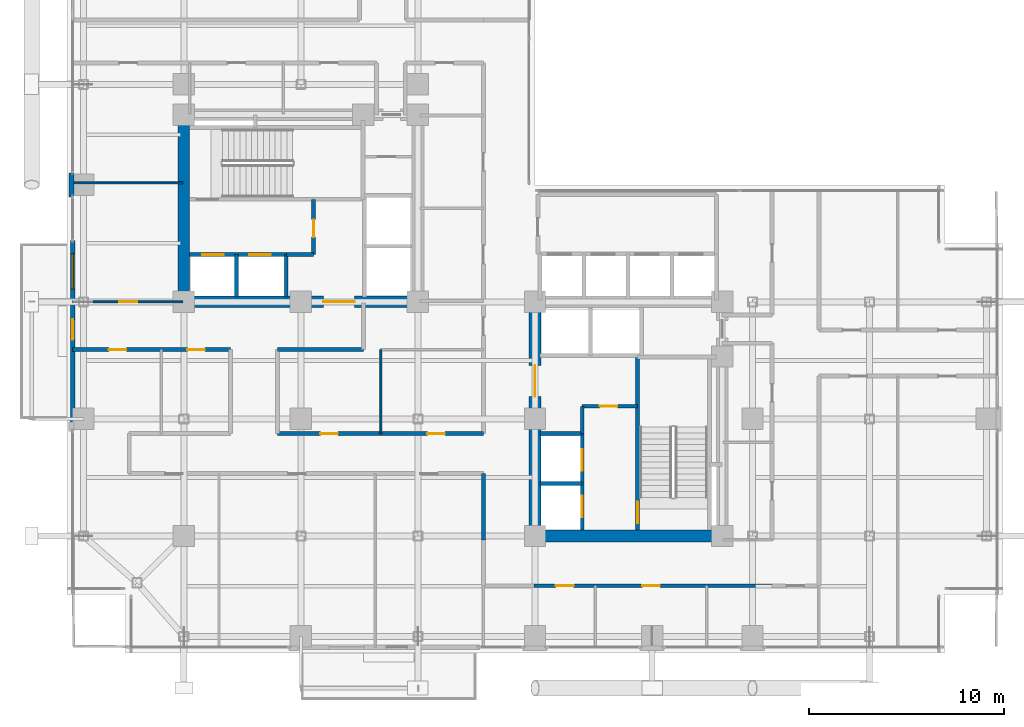
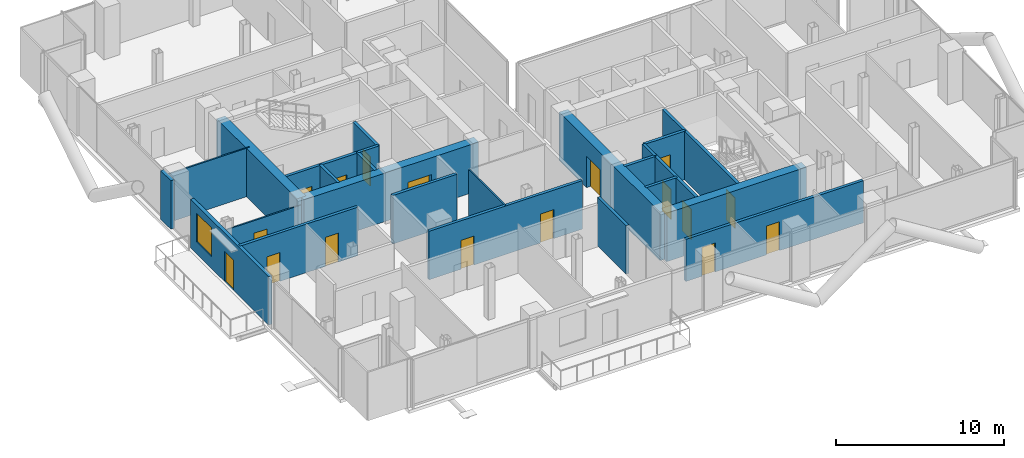
# One storey, part 19 of 24: 25 walls, 17 doors, 1 window, 18 openings.
"""IFC4 building model written with IfcOpenShell, lengths in metres."""

import ifcopenshell
import ifcopenshell.guid

model = None  # the IFC model being written
_history = None  # IfcOwnerHistory: only IFC2X3 demands one
_inside = {}  # id of a spatial element -> (the spatial element, [elements in it])
_under = {}  # id of a project, library or spatial element -> (it, [spatial elements below it])
_declared = {}  # id of a project -> (the project, [libraries it declares])
_typed = {}  # id of a type object -> (the type object, [elements of that type])
_made_of = {}  # id of a material, layer set ... -> (it, [elements and type objects made of it])


def new_model(schema):
    """Start an empty IFC model of exactly this schema.

    Asked for "IFC4X3", IfcOpenShell would pick the latest addendum, in which some entities
    have other attributes; the version numbers below select the first issue.
    IFC2X3 requires an IfcOwnerHistory on every rooted entity: one is made here for all.
    """
    global model, _history
    if schema == "IFC4X3":
        model = ifcopenshell.file(schema_version=(4, 3, 0, 0))
    else:
        model = ifcopenshell.file(schema=schema)
    _inside.clear()
    _under.clear()
    _declared.clear()
    _typed.clear()
    _made_of.clear()
    _history = None
    if model.schema == "IFC2X3":
        org = make("IfcOrganization", Name="unknown")
        user = make(
            "IfcPersonAndOrganization",
            ThePerson=make("IfcPerson", FamilyName="unknown"),
            TheOrganization=org,
        )
        app = make(
            "IfcApplication",
            ApplicationDeveloper=org,
            Version="unknown",
            ApplicationFullName="unknown",
            ApplicationIdentifier="unknown",
        )
        _history = make(
            "IfcOwnerHistory",
            OwningUser=user,
            OwningApplication=app,
            ChangeAction="ADDED",
            CreationDate=0,
        )
    return model


def make(cls, **values):
    """One entity of the class cls with the attributes given. An attribute that is None is left unset."""
    return model.create_entity(
        cls, **{name: value for name, value in values.items() if value is not None}
    )


def rooted(cls, **values):
    """An entity with a GlobalId (a new one), such as an element, a storey or a relation."""
    return make(cls, GlobalId=ifcopenshell.guid.new(), OwnerHistory=_history, **values)


def si_unit(unit_type, name, prefix=None):
    """IfcSIUnit, for example si_unit("LENGTHUNIT", "METRE", prefix="MILLI")."""
    return make("IfcSIUnit", UnitType=unit_type, Prefix=prefix, Name=name)


def assignment(units):
    """IfcUnitAssignment: the units of a project."""
    return None if units is None else make("IfcUnitAssignment", Units=units)


def point(xyz):
    """IfcCartesianPoint."""
    return None if xyz is None else make("IfcCartesianPoint", Coordinates=xyz)


def direction(xyz):
    """IfcDirection."""
    return None if xyz is None else make("IfcDirection", DirectionRatios=xyz)


def frame(location, z_axis=None, x_axis=None):
    """IfcAxis2Placement3D, a coordinate frame: its origin and axes. An axis left out is left unset."""
    return make(
        "IfcAxis2Placement3D",
        Location=point(location),
        Axis=direction(z_axis),
        RefDirection=direction(x_axis),
    )


def frame_2d(location, x_axis=None):
    """IfcAxis2Placement2D, a coordinate frame in the plane: its origin and x axis."""
    return make(
        "IfcAxis2Placement2D", Location=point(location), RefDirection=direction(x_axis)
    )


def origin():
    """The frame at (0, 0, 0) with its axes left unset."""
    return frame((0.0, 0.0, 0.0))


def place(relative_to, where):
    """IfcLocalPlacement: puts the frame where relative to a parent placement (None: the world)."""
    return make(
        "IfcLocalPlacement", PlacementRelTo=relative_to, RelativePlacement=where
    )


def context(
    kind, dimensions, precision=None, world=None, true_north=None, identifier=None
):
    """IfcGeometricRepresentationContext, for example the 3D "Model" context."""
    return make(
        "IfcGeometricRepresentationContext",
        ContextIdentifier=identifier,
        ContextType=kind,
        CoordinateSpaceDimension=dimensions,
        Precision=precision,
        WorldCoordinateSystem=world,
        TrueNorth=true_north,
    )


def subcontext(parent, identifier, kind, view, scale=None):
    """IfcGeometricRepresentationSubContext, for example "Body" below "Model"."""
    return make(
        "IfcGeometricRepresentationSubContext",
        ContextIdentifier=identifier,
        ContextType=kind,
        ParentContext=parent,
        TargetScale=scale,
        TargetView=view,
    )


def project(units=None, contexts=None):
    """IfcProject with its units and contexts."""
    return rooted(
        "IfcProject",
        Name="project",
        RepresentationContexts=contexts,
        UnitsInContext=assignment(units),
    )


def spatial(cls, under=None, at=None, **own):
    """A site, building, storey or space (cls), placed at a placement, below another one or the project."""
    s = rooted(cls, ObjectPlacement=at, **own)
    if under is not None:
        _under.setdefault(under.id(), (under, []))[1].append(s)
    return s


def profile(cls, at=None, kind="AREA", **sizes):
    """A parametric profile (cls). Its sizes go by their IFC names, for example OverallWidth=200.0."""
    return make(cls, ProfileType=kind, Position=at, **sizes)


def rectangle(**sizes):
    """IfcRectangleProfileDef."""
    return profile("IfcRectangleProfileDef", **sizes)


def extrude(swept, where, along, depth):
    """IfcExtrudedAreaSolid: the profile swept, set in the frame where, extruded along a direction by depth."""
    return make(
        "IfcExtrudedAreaSolid",
        SweptArea=swept,
        Position=where,
        ExtrudedDirection=direction(along),
        Depth=depth,
    )


def shape(context_of_items, identifier, shape_type, items):
    """IfcShapeRepresentation: the items that make up one representation, for example the "Body"."""
    return make(
        "IfcShapeRepresentation",
        ContextOfItems=context_of_items,
        RepresentationIdentifier=identifier,
        RepresentationType=shape_type,
        Items=items,
    )


def material(Name=None, Category=None):
    """IfcMaterial."""
    return make("IfcMaterial", Name=Name, Category=Category)


def layer(
    of_material, thickness, ventilated=None, Name=None, Category=None, Priority=None
):
    """IfcMaterialLayer: one layer of a wall or slab, of a material (None: an air gap)."""
    return make(
        "IfcMaterialLayer",
        Material=of_material,
        LayerThickness=thickness,
        IsVentilated=ventilated,
        Name=Name,
        Category=Category,
        Priority=Priority,
    )


def layer_set(layers, Name=None):
    """IfcMaterialLayerSet."""
    return make("IfcMaterialLayerSet", MaterialLayers=layers, LayerSetName=Name)


def made_of(thing, what):
    """Note that an element or type object is made of a material, layer set ...; save() writes the relation."""
    if what is not None:
        _made_of.setdefault(what.id(), (what, []))[1].append(thing)
    return thing


def type_object(cls, material=None, **own):
    """A type object (cls), such as IfcWallType, which elements share."""
    return made_of(rooted(cls, **own), material)


def element(
    cls,
    number,
    at=None,
    inside=None,
    cuts=None,
    type_object=None,
    material=None,
    context=None,
    identifier="Body",
    shape_type=None,
    held_by="IfcProductDefinitionShape",
    body=None,
    shapes=None,
    **own,
):
    """One element of the class cls, such as IfcWall. Its Tag is "e" and its number.

    at: its placement. inside: the storey or other place that contains it. cuts: it is an
    opening in that element (IfcRelVoidsElement). A single representation is given by context,
    identifier, shape_type and body (its items); several are given by shapes. held_by: the class
    of the entity that holds the representations. save() writes the other relations.
    """
    e = rooted(cls, Tag="e%d" % number, ObjectPlacement=at, **own)
    if body is not None:
        shapes = [shape(context, identifier, shape_type, body)]
    if shapes is not None:
        e.Representation = make(held_by, Representations=shapes)
    if inside is not None:
        _inside.setdefault(inside.id(), (inside, []))[1].append(e)
    if cuts is not None:
        rooted(
            "IfcRelVoidsElement", RelatingBuildingElement=cuts, RelatedOpeningElement=e
        )
    if type_object is not None:
        _typed.setdefault(type_object.id(), (type_object, []))[1].append(e)
    return made_of(e, material)


def fill(opening, filler):
    """IfcRelFillsElement: the door or window that sits in an opening."""
    return rooted(
        "IfcRelFillsElement",
        RelatingOpeningElement=opening,
        RelatedBuildingElement=filler,
    )


def aggregate(whole, parts):
    """IfcRelAggregates: a whole, such as a stair, and the parts it consists of."""
    return rooted("IfcRelAggregates", RelatingObject=whole, RelatedObjects=parts)


def save(model, path):
    """Write the relations noted so far, then the file.

    IfcRelAggregates (storeys below a building ...), IfcRelContainedInSpatialStructure (elements
    in a storey), IfcRelDefinesByType, IfcRelAssociatesMaterial and IfcRelDeclares: one each for
    every whole, place, type object, material and project.
    """
    for whole, parts in _under.values():
        aggregate(whole, parts)
    for where, things in _inside.values():
        rooted(
            "IfcRelContainedInSpatialStructure",
            RelatedElements=things,
            RelatingStructure=where,
        )
    for kind, things in _typed.values():
        rooted("IfcRelDefinesByType", RelatedObjects=things, RelatingType=kind)
    for what, things in _made_of.values():
        rooted("IfcRelAssociatesMaterial", RelatedObjects=things, RelatingMaterial=what)
    for by, libraries in _declared.values():
        rooted("IfcRelDeclares", RelatingContext=by, RelatedDefinitions=libraries)
    model.write(path)


model = new_model("IFC4")

# Units and contexts
model_context = context("Model", 3, precision=1e-05, world=origin(), true_north=direction((0.0, 1.0)))
body_context = subcontext(model_context, "Body", "Model", "MODEL_VIEW")
ifc_project = project(units=[si_unit("LENGTHUNIT", "METRE"), si_unit("AREAUNIT", "SQUARE_METRE"), si_unit("VOLUMEUNIT", "CUBIC_METRE"), si_unit("PLANEANGLEUNIT", "RADIAN"), si_unit("MASSUNIT", "GRAM", prefix="KILO"), si_unit("THERMODYNAMICTEMPERATUREUNIT", "KELVIN"), si_unit("POWERUNIT", "WATT")], contexts=[model_context])

# Site, building, storey
site_placement = place(None, origin())
site = spatial("IfcSite", under=ifc_project, at=site_placement, CompositionType="ELEMENT")
building_placement = place(site_placement, origin())
building = spatial("IfcBuilding", under=site, at=building_placement, Name="Svarakhadi Broadcast Tower", CompositionType="ELEMENT")
storey_placement = place(building_placement, frame((0.0, 0.0, 141.89990234375)))
storey = spatial("IfcBuildingStorey", under=building, at=storey_placement, Name="L34", CompositionType="ELEMENT", Elevation=141.89990234375)

# Wall, openings, doors
ifc_material_1 = material(Name="Double-Stud Acoustic Studio Partition STC-62", Category="gypsum")
ifc_layer_1 = layer(ifc_material_1, 0.199951171875)
ifc_layer_set_1 = layer_set([ifc_layer_1], Name="Double-Stud Acoustic Studio Partition STC-62")
wall_type_1 = type_object("IfcWallType", Name="Wall_Acoust_200", PredefinedType="PARTITIONING", material=ifc_layer_set_1)
wall_1_placement = place(storey_placement, frame((36.14990234375, 3.449951171875, 0.0), z_axis=(0.0, 0.0, 1.0), x_axis=(-1.0, 0.0, 0.0)))
wall_1 = element("IfcWall", 1, at=wall_1_placement, inside=storey, type_object=wall_type_1, Name="L34 Zone 2/3 Corridor Wall", PredefinedType="PARTITIONING", context=body_context, shape_type="SweptSolid", body=[
    extrude(rectangle(XDim=12.199951171875, YDim=0.199951171875, at=frame_2d((6.10009765625, 0.0))), origin(), (0.0, 0.0, 1.0), 3.067138671875),
])
opening_1_placement = place(wall_1_placement, frame((10.175048828125, 0.0, 0.0)))
opening_1 = element("IfcOpeningElement", 2, at=opening_1_placement, cuts=wall_1, Name="Opening D-15", PredefinedType="OPENING", context=body_context, shape_type="SweptSolid", body=[
    extrude(rectangle(XDim=0.89990234375, YDim=2.10009765625, at=frame_2d((0.449951171875, 1.050048828125))), frame((0.0, 0.10986328125, 0.0), z_axis=(0.0, -1.0, 0.0), x_axis=(1.0, 0.0, 0.0)), (0.0, 0.0, 1.0), 0.219970703125),
])
opening_2_placement = place(wall_1_placement, frame((5.75, 0.0, 0.0)))
opening_2 = element("IfcOpeningElement", 3, at=opening_2_placement, cuts=wall_1, Name="Opening D-14", PredefinedType="OPENING", context=body_context, shape_type="SweptSolid", body=[
    extrude(rectangle(XDim=0.89990234375, YDim=2.10009765625, at=frame_2d((0.449951171875, 1.050048828125))), frame((0.0, 0.10986328125, 0.0), z_axis=(0.0, -1.0, 0.0), x_axis=(1.0, 0.0, 0.0)), (0.0, 0.0, 1.0), 0.219970703125),
])
ifc_material_2 = material(Name="Solid-Core Teak Veneer Acoustic Timber Leaf", Category="wood")
door_type_1 = type_object("IfcDoorType", Name="Door_Int_D14", OperationType="SINGLE_SWING_LEFT", PredefinedType="DOOR", material=ifc_material_2)
door_1_placement = place(opening_2_placement, origin())
door_1 = element("IfcDoor", 4, at=door_1_placement, inside=storey, type_object=door_type_1, Name="L34 Client Preview Briefing Room Door", OperationType="SINGLE_SWING_LEFT", OverallHeight=2.10009765625, OverallWidth=0.89990234375, PredefinedType="DOOR", context=body_context, shape_type="SweptSolid", body=[
    extrude(rectangle(XDim=0.89990234375, YDim=2.10009765625, at=frame_2d((0.449951171875, 1.050048828125))), frame((0.0, 0.02490234375, 0.0), z_axis=(0.0, -1.0, 0.0), x_axis=(1.0, 0.0, 0.0)), (0.0, 0.0, 1.0), 0.050048828125),
])
fill(opening_2, door_1)
door_type_2 = type_object("IfcDoorType", Name="Door_Int_D15", OperationType="SINGLE_SWING_RIGHT", PredefinedType="DOOR", material=ifc_material_2)
door_2_placement = place(opening_1_placement, origin())
door_2 = element("IfcDoor", 5, at=door_2_placement, inside=storey, type_object=door_type_2, Name="L34 Harbour Front Production Office Door", OperationType="SINGLE_SWING_RIGHT", OverallHeight=2.10009765625, OverallWidth=0.89990234375, PredefinedType="DOOR", context=body_context, shape_type="SweptSolid", body=[
    extrude(rectangle(XDim=0.89990234375, YDim=2.10009765625, at=frame_2d((0.449951171875, 1.050048828125))), frame((0.0, 0.02490234375, 0.0), z_axis=(0.0, -1.0, 0.0), x_axis=(1.0, 0.0, 0.0)), (0.0, 0.0, 1.0), 0.050048828125),
])
fill(opening_1, door_2)

# Wall
wall_2_placement = place(storey_placement, frame((21.35009765625, 5.800048828125, 0.0), z_axis=(0.0, 0.0, 1.0), x_axis=(0.0, 1.0, 0.0)))
element("IfcWall", 6, at=wall_2_placement, inside=storey, type_object=wall_type_1, Name="L34 Zone 2/3 Corridor Wall", PredefinedType="PARTITIONING", context=body_context, shape_type="SweptSolid", body=[
    extrude(rectangle(XDim=3.39990234375, YDim=0.199951171875, at=frame_2d((1.699951171875, 0.0))), origin(), (0.0, 0.0, 1.0), 3.525146484375),
])

# Wall, openings, doors
wall_3_placement = place(storey_placement, frame((8.39990234375, 15.550048828125, 0.0), z_axis=(0.0, 0.0, 1.0), x_axis=(-1.0, 0.0, 0.0)))
wall_3 = element("IfcWall", 7, at=wall_3_placement, inside=storey, type_object=wall_type_1, Name="L34 Zone 2/3 Corridor Wall", PredefinedType="PARTITIONING", context=body_context, shape_type="SweptSolid", body=[
    extrude(rectangle(XDim=8.099853515625, YDim=0.199951171875, at=frame_2d((4.0498046875, 0.0))), origin(), (0.0, 0.0, 1.0), 3.525146484375),
])
opening_3_placement = place(wall_3_placement, frame((5.35009765625, 0.0, 0.0)))
opening_3 = element("IfcOpeningElement", 8, at=opening_3_placement, cuts=wall_3, Name="Opening D-14", PredefinedType="OPENING", context=body_context, shape_type="SweptSolid", body=[
    extrude(rectangle(XDim=0.89990234375, YDim=2.10009765625, at=frame_2d((0.449951171875, 1.050048828125))), frame((0.0, 0.10986328125, 0.0), z_axis=(0.0, -1.0, 0.0), x_axis=(1.0, 0.0, 0.0)), (0.0, 0.0, 1.0), 0.219970703125),
])
opening_4_placement = place(wall_3_placement, frame((1.324951171875, 0.0, 0.0)))
opening_4 = element("IfcOpeningElement", 9, at=opening_4_placement, cuts=wall_3, Name="Opening D-15", PredefinedType="OPENING", context=body_context, shape_type="SweptSolid", body=[
    extrude(rectangle(XDim=0.89990234375, YDim=2.10009765625, at=frame_2d((0.449951171875, 1.050048828125))), frame((0.0, 0.10986328125, 0.0), z_axis=(0.0, -1.0, 0.0), x_axis=(1.0, 0.0, 0.0)), (0.0, 0.0, 1.0), 0.219970703125),
])
door_3_placement = place(opening_3_placement, origin())
door_3 = element("IfcDoor", 10, at=door_3_placement, inside=storey, type_object=door_type_1, Name="L34 Photogrammetry Rig Room Door", OperationType="SINGLE_SWING_LEFT", OverallHeight=2.10009765625, OverallWidth=0.89990234375, PredefinedType="DOOR", context=body_context, shape_type="SweptSolid", body=[
    extrude(rectangle(XDim=0.89990234375, YDim=2.10009765625, at=frame_2d((0.449951171875, 1.050048828125))), frame((0.0, 0.02490234375, 0.0), z_axis=(0.0, -1.0, 0.0), x_axis=(1.0, 0.0, 0.0)), (0.0, 0.0, 1.0), 0.050048828125),
])
fill(opening_3, door_3)
door_4_placement = place(opening_4_placement, origin())
door_4 = element("IfcDoor", 11, at=door_4_placement, inside=storey, type_object=door_type_2, Name="L34 Pipeline Engineer Office Door", OperationType="SINGLE_SWING_RIGHT", OverallHeight=2.10009765625, OverallWidth=0.89990234375, PredefinedType="DOOR", context=body_context, shape_type="SweptSolid", body=[
    extrude(rectangle(XDim=0.89990234375, YDim=2.10009765625, at=frame_2d((0.449951171875, 1.050048828125))), frame((0.0, 0.02490234375, 0.0), z_axis=(0.0, -1.0, 0.0), x_axis=(1.0, 0.0, 0.0)), (0.0, 0.0, 1.0), 0.050048828125),
])
fill(opening_4, door_4)

# Wall
wall_4_placement = place(storey_placement, frame((15.199951171875, 15.550048828125, 0.0), z_axis=(0.0, 0.0, 1.0), x_axis=(-1.0, 0.0, 0.0)))
element("IfcWall", 12, at=wall_4_placement, inside=storey, type_object=wall_type_1, Name="L34 Zone 2/3 Corridor Wall", PredefinedType="PARTITIONING", context=body_context, shape_type="SweptSolid", body=[
    extrude(rectangle(XDim=4.39990234375, YDim=0.199951171875, at=frame_2d((2.199951171875, 0.0))), origin(), (0.0, 0.0, 1.0), 3.525146484375),
])

# Wall, openings, doors
wall_5_placement = place(storey_placement, frame((10.800048828125, 11.25, 0.0), z_axis=(0.0, 0.0, 1.0), x_axis=(1.0, 0.0, 0.0)))
wall_5 = element("IfcWall", 13, at=wall_5_placement, inside=storey, type_object=wall_type_1, Name="L34 Zone 2/3 Corridor Wall", PredefinedType="PARTITIONING", context=body_context, shape_type="SweptSolid", body=[
    extrude(rectangle(XDim=10.550048828125, YDim=0.199951171875, at=frame_2d((5.27490234375, 0.0))), origin(), (0.0, 0.0, 1.0), 3.525146484375),
])
opening_5_placement = place(wall_5_placement, frame((2.199951171875, 0.0, 0.0)))
opening_5 = element("IfcOpeningElement", 14, at=opening_5_placement, cuts=wall_5, Name="Opening D-15", PredefinedType="OPENING", context=body_context, shape_type="SweptSolid", body=[
    extrude(rectangle(XDim=0.89990234375, YDim=2.10009765625, at=frame_2d((0.449951171875, 1.050048828125))), frame((0.0, 0.10986328125, 0.0), z_axis=(0.0, -1.0, 0.0), x_axis=(1.0, 0.0, 0.0)), (0.0, 0.0, 1.0), 0.219970703125),
])
opening_6_placement = place(wall_5_placement, frame((7.679931640625, 0.0, 0.0)))
opening_6 = element("IfcOpeningElement", 15, at=opening_6_placement, cuts=wall_5, Name="Opening D-13", PredefinedType="OPENING", context=body_context, shape_type="SweptSolid", body=[
    extrude(rectangle(XDim=0.89990234375, YDim=2.10009765625, at=frame_2d((0.449951171875, 1.050048828125))), frame((0.0, 0.10986328125, 0.0), z_axis=(0.0, -1.0, 0.0), x_axis=(1.0, 0.0, 0.0)), (0.0, 0.0, 1.0), 0.219970703125),
])
door_type_3 = type_object("IfcDoorType", Name="Door_Closet_D13", OperationType="SINGLE_SWING_RIGHT", PredefinedType="DOOR", material=ifc_material_2)
door_5_placement = place(opening_6_placement, origin())
door_5 = element("IfcDoor", 16, at=door_5_placement, inside=storey, type_object=door_type_3, Name="L34 Accessible Floor Washroom WC Door", OperationType="SINGLE_SWING_RIGHT", OverallHeight=2.10009765625, OverallWidth=0.89990234375, PredefinedType="DOOR", context=body_context, shape_type="SweptSolid", body=[
    extrude(rectangle(XDim=0.89990234375, YDim=2.10009765625, at=frame_2d((0.449951171875, 1.050048828125))), frame((0.0, 0.02490234375, 0.0), z_axis=(0.0, -1.0, 0.0), x_axis=(1.0, 0.0, 0.0)), (0.0, 0.0, 1.0), 0.050048828125),
])
fill(opening_6, door_5)
door_6_placement = place(opening_5_placement, origin())
door_6 = element("IfcDoor", 17, at=door_6_placement, inside=storey, type_object=door_type_2, Name="L34 Central Review Briefing Pod Door", OperationType="SINGLE_SWING_RIGHT", OverallHeight=2.10009765625, OverallWidth=0.89990234375, PredefinedType="DOOR", context=body_context, shape_type="SweptSolid", body=[
    extrude(rectangle(XDim=0.89990234375, YDim=2.10009765625, at=frame_2d((0.449951171875, 1.050048828125))), frame((0.0, 0.02490234375, 0.0), z_axis=(0.0, -1.0, 0.0), x_axis=(1.0, 0.0, 0.0)), (0.0, 0.0, 1.0), 0.050048828125),
])
fill(opening_5, door_6)

# Wall, openings, door, window
ifc_material_3 = material(Name="Concrete C40/50 (IS 456 M50)", Category="concrete")
ifc_layer_2 = layer(ifc_material_3, 0.239990234375)
ifc_layer_set_2 = layer_set([ifc_layer_2], Name="Concrete C40/50 (IS 456 M50)")
wall_type_2 = type_object("IfcWallType", Name="Wall_Ext_240", PredefinedType="SOLIDWALL", material=ifc_layer_set_2)
wall_6_placement = place(storey_placement, frame((0.300048828125, 11.85498046875, 0.0), z_axis=(0.0, 0.0, 1.0), x_axis=(0.0, 1.0, 0.0)))
wall_6 = element("IfcWall", 18, at=wall_6_placement, inside=storey, type_object=wall_type_2, Name="L34 West Tree Balcony Spandrel Wall", PredefinedType="SOLIDWALL", context=body_context, shape_type="SweptSolid", body=[
    extrude(rectangle(XDim=9.2900390625, YDim=0.239990234375, at=frame_2d((4.64501953125, 0.0))), origin(), (0.0, 0.0, 1.0), 3.525146484375),
])
opening_7_placement = place(wall_6_placement, frame((4.199951171875, 0.0, 0.0)))
opening_7 = element("IfcOpeningElement", 19, at=opening_7_placement, cuts=wall_6, Name="Opening ED-05", PredefinedType="OPENING", context=body_context, shape_type="SweptSolid", body=[
    extrude(rectangle(XDim=1.050048828125, YDim=2.199951171875, at=frame_2d((0.52490234375, 1.10009765625))), frame((0.0, 0.1298828125, 0.0), z_axis=(0.0, -1.0, 0.0), x_axis=(1.0, 0.0, 0.0)), (0.0, 0.0, 1.0), 0.260009765625),
])
opening_8_placement = place(wall_6_placement, frame((6.800048828125, 0.0, 0.85009765625)))
opening_8 = element("IfcOpeningElement", 20, at=opening_8_placement, cuts=wall_6, Name="Opening WN-02", PredefinedType="OPENING", context=body_context, shape_type="SweptSolid", body=[
    extrude(rectangle(XDim=1.800048828125, YDim=2.10009765625, at=frame_2d((0.89990234375, 1.050048828125))), frame((0.0, 0.1298828125, 0.0), z_axis=(0.0, -1.0, 0.0), x_axis=(1.0, 0.0, 0.0)), (0.0, 0.0, 1.0), 0.260009765625),
])
ifc_material_4 = material(Name="Anodised Bronze Aluminium AA 6063-T6", Category="aluminium")
door_type_4 = type_object("IfcDoorType", Name="Door_Ext_ED05", OperationType="SINGLE_SWING_LEFT", PredefinedType="DOOR", material=ifc_material_4)
door_7_placement = place(opening_7_placement, origin())
door_7 = element("IfcDoor", 21, at=door_7_placement, inside=storey, type_object=door_type_4, Name="L34 West Tree Balcony Door", OperationType="SINGLE_SWING_LEFT", OverallHeight=2.199951171875, OverallWidth=1.050048828125, PredefinedType="DOOR", context=body_context, shape_type="SweptSolid", body=[
    extrude(rectangle(XDim=1.050048828125, YDim=2.199951171875, at=frame_2d((0.52490234375, 1.10009765625))), frame((0.0, 0.02490234375, 0.0), z_axis=(0.0, -1.0, 0.0), x_axis=(1.0, 0.0, 0.0)), (0.0, 0.0, 1.0), 0.050048828125),
])
fill(opening_7, door_7)
ifc_material_5 = material(Name="Double Low-E Laminated Acoustic Glass IGU 36 mm", Category="glass")
window_type = type_object("IfcWindowType", Name="Win_Fixed_WN02", PartitioningType="SINGLE_PANEL", PredefinedType="WINDOW", material=ifc_material_5)
window_placement = place(opening_8_placement, origin())
window = element("IfcWindow", 22, at=window_placement, inside=storey, type_object=window_type, Name="L34 West Tree Balcony Window", OverallHeight=2.10009765625, OverallWidth=1.800048828125, PartitioningType="SINGLE_PANEL", PredefinedType="WINDOW", context=body_context, shape_type="SweptSolid", body=[
    extrude(rectangle(XDim=1.800048828125, YDim=2.10009765625, at=frame_2d((0.89990234375, 1.050048828125))), frame((0.0, 0.030029296875, 0.0), z_axis=(0.0, -1.0, 0.0), x_axis=(1.0, 0.0, 0.0)), (0.0, 0.0, 1.0), 0.06005859375),
])
fill(opening_8, window)

# Walls
wall_7_placement = place(storey_placement, frame((0.239990234375, 23.385009765625, 0.0), z_axis=(0.0, 0.0, 1.0), x_axis=(0.0, 1.0, 0.0)))
element("IfcWall", 23, at=wall_7_placement, inside=storey, type_object=wall_type_2, Name="L34 Perimeter Bronze Spandrel Closure Wall 02", PredefinedType="SOLIDWALL", context=body_context, shape_type="SweptSolid", body=[
    extrude(rectangle(XDim=1.22998046875, YDim=0.239990234375, at=frame_2d((0.614990234375, 0.0))), origin(), (0.0, 0.0, 1.0), 3.525146484375),
])
ifc_material_6 = material(Name="Fire-Rated Moisture-Resistant Gypsum Board Partition", Category="gypsum")
ifc_layer_3 = layer(ifc_material_6, 0.10009765625)
ifc_layer_set_3 = layer_set([ifc_layer_3], Name="Fire-Rated Moisture-Resistant Gypsum Board Partition")
wall_type_3 = type_object("IfcWallType", Name="Wall_Part_100", PredefinedType="PARTITIONING", material=ifc_layer_set_3)
wall_8_placement = place(storey_placement, frame((16.10009765625, 11.25, 0.0), z_axis=(0.0, 0.0, 1.0), x_axis=(0.0, 1.0, 0.0)))
element("IfcWall", 24, at=wall_8_placement, inside=storey, type_object=wall_type_3, Name="L34 Central Review Briefing Pod Wall", PredefinedType="PARTITIONING", context=body_context, shape_type="SweptSolid", body=[
    extrude(rectangle(XDim=4.300048828125, YDim=0.10009765625, at=frame_2d((2.14990234375, 0.0))), origin(), (0.0, 0.0, 1.0), 3.525146484375),
])

# Wall, opening, door
wall_9_placement = place(storey_placement, frame((0.300048828125, 18.0, 0.0), z_axis=(0.0, 0.0, 1.0), x_axis=(1.0, 0.0, 0.0)))
wall_9 = element("IfcWall", 25, at=wall_9_placement, inside=storey, type_object=wall_type_3, Name="L34 Arabian Sea Executive Studio Wall", PredefinedType="PARTITIONING", context=body_context, shape_type="SweptSolid", body=[
    extrude(rectangle(XDim=5.64990234375, YDim=0.10009765625, at=frame_2d((2.824951171875, 0.0))), origin(), (0.0, 0.0, 1.0), 3.01708984375),
])
opening_9_placement = place(wall_9_placement, frame((2.39990234375, 0.0, 0.0)))
opening_9 = element("IfcOpeningElement", 26, at=opening_9_placement, cuts=wall_9, Name="Opening D-15", PredefinedType="OPENING", context=body_context, shape_type="SweptSolid", body=[
    extrude(rectangle(XDim=0.89990234375, YDim=2.10009765625, at=frame_2d((0.449951171875, 1.050048828125))), frame((0.0, 0.06005859375, 0.0), z_axis=(0.0, -1.0, 0.0), x_axis=(1.0, 0.0, 0.0)), (0.0, 0.0, 1.0), 0.1201171875),
])
door_8_placement = place(opening_9_placement, origin())
door_8 = element("IfcDoor", 27, at=door_8_placement, inside=storey, type_object=door_type_2, Name="L34 Arabian Sea Executive Studio Door", OperationType="SINGLE_SWING_RIGHT", OverallHeight=2.10009765625, OverallWidth=0.89990234375, PredefinedType="DOOR", context=body_context, shape_type="SweptSolid", body=[
    extrude(rectangle(XDim=0.89990234375, YDim=2.10009765625, at=frame_2d((0.449951171875, 1.050048828125))), frame((0.0, 0.02490234375, 0.0), z_axis=(0.0, -1.0, 0.0), x_axis=(1.0, 0.0, 0.0)), (0.0, 0.0, 1.0), 0.050048828125),
])
fill(opening_9, door_8)

# Wall
wall_10_placement = place(storey_placement, frame((0.300048828125, 24.10009765625, 0.0), z_axis=(0.0, 0.0, 1.0), x_axis=(1.0, 0.0, 0.0)))
element("IfcWall", 28, at=wall_10_placement, inside=storey, type_object=wall_type_3, Name="L34 Arabian Sea Executive Studio Wall", PredefinedType="PARTITIONING", context=body_context, shape_type="SweptSolid", body=[
    extrude(rectangle(XDim=5.64990234375, YDim=0.10009765625, at=frame_2d((2.824951171875, 0.0))), origin(), (0.0, 0.0, 1.0), 3.525146484375),
])

# Wall, opening, door
ifc_material_7 = material(Name="Concrete C50/60 (IS 456 M60)", Category="concrete")
ifc_layer_4 = layer(ifc_material_7, 0.199951171875)
ifc_layer_set_4 = layer_set([ifc_layer_4], Name="Concrete C50/60 (IS 456 M60)")
wall_type_4 = type_object("IfcWallType", Name="Wall_Shear_200", PredefinedType="SHEAR", material=ifc_layer_set_4)
wall_11_placement = place(storey_placement, frame((29.260009765625, 6.300048828125, 0.0), z_axis=(0.0, 0.0, 1.0), x_axis=(0.0, 1.0, 0.0)))
wall_11 = element("IfcWall", 29, at=wall_11_placement, inside=storey, type_object=wall_type_4, Name="L34 Stair ST-02 West RC Shaft Wall", PredefinedType="SHEAR", context=body_context, shape_type="SweptSolid", body=[
    extrude(rectangle(XDim=8.8798828125, YDim=0.199951171875, at=frame_2d((4.43994140625, 0.0))), origin(), (0.0, 0.0, 1.0), 3.525146484375),
])
opening_10_placement = place(wall_11_placement, frame((0.35009765625, 0.0, 0.0)))
opening_10 = element("IfcOpeningElement", 30, at=opening_10_placement, cuts=wall_11, Name="Opening D-02", PredefinedType="OPENING", context=body_context, shape_type="SweptSolid", body=[
    extrude(rectangle(XDim=1.10009765625, YDim=2.199951171875, at=frame_2d((0.550048828125, 1.10009765625))), frame((0.0, 0.10986328125, 0.0), z_axis=(0.0, -1.0, 0.0), x_axis=(1.0, 0.0, 0.0)), (0.0, 0.0, 1.0), 0.219970703125),
])
ifc_material_8 = material(Name="Galvanised Powder-Coated Fire-Rated Steel Leaf", Category="steel")
door_type_5 = type_object("IfcDoorType", Name="Door_Stair_D02", OperationType="SINGLE_SWING_RIGHT", PredefinedType="DOOR", material=ifc_material_8)
door_9_placement = place(opening_10_placement, origin())
door_9 = element("IfcDoor", 31, at=door_9_placement, inside=storey, type_object=door_type_5, Name="L34 Protected Exit Stair ST-02 Fire Door", OperationType="SINGLE_SWING_RIGHT", OverallHeight=2.199951171875, OverallWidth=1.10009765625, PredefinedType="DOOR", context=body_context, shape_type="SweptSolid", body=[
    extrude(rectangle(XDim=1.10009765625, YDim=2.199951171875, at=frame_2d((0.550048828125, 1.10009765625))), frame((0.0, 0.02490234375, 0.0), z_axis=(0.0, -1.0, 0.0), x_axis=(1.0, 0.0, 0.0)), (0.0, 0.0, 1.0), 0.050048828125),
])
fill(opening_10, door_9)

# Wall, openings, doors
wall_12_placement = place(storey_placement, frame((6.300048828125, 20.419921875, 0.0), z_axis=(0.0, 0.0, 1.0), x_axis=(1.0, 0.0, 0.0)))
wall_12 = element("IfcWall", 32, at=wall_12_placement, inside=storey, type_object=wall_type_4, Name="L34 Firefighting Lift LF-01/02 Shaft Wall", PredefinedType="SHEAR", context=body_context, shape_type="SweptSolid", body=[
    extrude(rectangle(XDim=4.949951171875, YDim=0.199951171875, at=frame_2d((2.47509765625, 0.0))), origin(), (0.0, 0.0, 1.0), 3.525146484375),
])
opening_11_placement = place(wall_12_placement, frame((0.64990234375, 0.0, 0.0)))
opening_11 = element("IfcOpeningElement", 33, at=opening_11_placement, cuts=wall_12, Name="Opening LD-01", PredefinedType="OPENING", context=body_context, shape_type="SweptSolid", body=[
    extrude(rectangle(XDim=1.10009765625, YDim=2.199951171875, at=frame_2d((0.550048828125, 1.10009765625))), frame((0.0, 0.10986328125, 0.0), z_axis=(0.0, -1.0, 0.0), x_axis=(1.0, 0.0, 0.0)), (0.0, 0.0, 1.0), 0.219970703125),
])
opening_12_placement = place(wall_12_placement, frame((3.050048828125, 0.0, 0.0)))
opening_12 = element("IfcOpeningElement", 34, at=opening_12_placement, cuts=wall_12, Name="Opening LD-01", PredefinedType="OPENING", context=body_context, shape_type="SweptSolid", body=[
    extrude(rectangle(XDim=1.10009765625, YDim=2.199951171875, at=frame_2d((0.550048828125, 1.10009765625))), frame((0.0, 0.10986328125, 0.0), z_axis=(0.0, -1.0, 0.0), x_axis=(1.0, 0.0, 0.0)), (0.0, 0.0, 1.0), 0.219970703125),
])
door_type_6 = type_object("IfcDoorType", Name="Door_Lift_LD01", OperationType="SLIDING_TO_LEFT", PredefinedType="DOOR", material=ifc_material_8)
door_10_placement = place(opening_11_placement, origin())
door_10 = element("IfcDoor", 35, at=door_10_placement, inside=storey, type_object=door_type_6, Name="L34 Firefighting Lift LF-01 Landing Door", OperationType="SLIDING_TO_LEFT", OverallHeight=2.199951171875, OverallWidth=1.10009765625, PredefinedType="DOOR", context=body_context, shape_type="SweptSolid", body=[
    extrude(rectangle(XDim=1.10009765625, YDim=2.199951171875, at=frame_2d((0.550048828125, 1.10009765625))), frame((0.0, 0.02490234375, 0.0), z_axis=(0.0, -1.0, 0.0), x_axis=(1.0, 0.0, 0.0)), (0.0, 0.0, 1.0), 0.050048828125),
])
fill(opening_11, door_10)
door_11_placement = place(opening_12_placement, origin())
door_11 = element("IfcDoor", 36, at=door_11_placement, inside=storey, type_object=door_type_6, Name="L34 Firefighting Lift LF-02 Landing Door", OperationType="SLIDING_TO_LEFT", OverallHeight=2.199951171875, OverallWidth=1.10009765625, PredefinedType="DOOR", context=body_context, shape_type="SweptSolid", body=[
    extrude(rectangle(XDim=1.10009765625, YDim=2.199951171875, at=frame_2d((0.550048828125, 1.10009765625))), frame((0.0, 0.02490234375, 0.0), z_axis=(0.0, -1.0, 0.0), x_axis=(1.0, 0.0, 0.0)), (0.0, 0.0, 1.0), 0.050048828125),
])
fill(opening_12, door_11)

# Walls
for number, where, z_axis, x_axis, name in (
    (37, (8.699951171875, 18.25, 0.0), (0.0, 0.0, 1.0), (0.0, 1.0, 0.0), "L34 Firefighting Lift LF-01/02 Divider Wall"),
    (38, (11.25, 18.25, 0.0), (0.0, 0.0, 1.0), (0.0, 1.0, 0.0), "L34 Firefighting Lift LF-02 East Wall"),
):
    element("IfcWall", number, at=place(storey_placement, frame(where, z_axis=z_axis, x_axis=x_axis)), inside=storey, type_object=wall_type_4, Name=name, PredefinedType="SHEAR", context=body_context, shape_type="SweptSolid", body=[
        extrude(rectangle(XDim=2.169921875, YDim=0.199951171875, at=frame_2d((1.0849609375, 0.0))), origin(), (0.0, 0.0, 1.0), 3.525146484375),
    ])
wall_13_placement = place(storey_placement, frame((11.25, 20.419921875, 0.0), z_axis=(0.0, 0.0, 1.0), x_axis=(1.0, 0.0, 0.0)))
element("IfcWall", 39, at=wall_13_placement, inside=storey, type_object=wall_type_4, Name="L34 West Firefighting Lobby South Wall", PredefinedType="SHEAR", context=body_context, shape_type="SweptSolid", body=[
    extrude(rectangle(XDim=1.39990234375, YDim=0.199951171875, at=frame_2d((0.699951171875, 0.0))), origin(), (0.0, 0.0, 1.0), 3.525146484375),
])

# Wall, opening, door
wall_14_placement = place(storey_placement, frame((12.64990234375, 20.419921875, 0.0), z_axis=(0.0, 0.0, 1.0), x_axis=(0.0, 1.0, 0.0)))
wall_14 = element("IfcWall", 40, at=wall_14_placement, inside=storey, type_object=wall_type_4, Name="L34 West Firefighting Lobby East Wall", PredefinedType="SHEAR", context=body_context, shape_type="SweptSolid", body=[
    extrude(rectangle(XDim=2.840087890625, YDim=0.199951171875, at=frame_2d((1.419921875, 0.0))), origin(), (0.0, 0.0, 1.0), 3.525146484375),
])
opening_13_placement = place(wall_14_placement, frame((0.89990234375, 0.0, 0.0)))
opening_13 = element("IfcOpeningElement", 41, at=opening_13_placement, cuts=wall_14, Name="Opening D-04", PredefinedType="OPENING", context=body_context, shape_type="SweptSolid", body=[
    extrude(rectangle(XDim=0.89990234375, YDim=2.14990234375, at=frame_2d((0.449951171875, 1.074951171875))), frame((0.0, 0.10986328125, 0.0), z_axis=(0.0, -1.0, 0.0), x_axis=(1.0, 0.0, 0.0)), (0.0, 0.0, 1.0), 0.219970703125),
])
door_type_7 = type_object("IfcDoorType", Name="Door_Fire_D04", OperationType="SINGLE_SWING_RIGHT", PredefinedType="DOOR", material=ifc_material_8)
door_12_placement = place(opening_13_placement, origin())
door_12 = element("IfcDoor", 42, at=door_12_placement, inside=storey, type_object=door_type_7, Name="L34 West Firefighting Lobby Fire Door", OperationType="SINGLE_SWING_RIGHT", OverallHeight=2.14990234375, OverallWidth=0.89990234375, PredefinedType="DOOR", context=body_context, shape_type="SweptSolid", body=[
    extrude(rectangle(XDim=0.89990234375, YDim=2.14990234375, at=frame_2d((0.449951171875, 1.074951171875))), frame((0.0, 0.02490234375, 0.0), z_axis=(0.0, -1.0, 0.0), x_axis=(1.0, 0.0, 0.0)), (0.0, 0.0, 1.0), 0.050048828125),
])
fill(opening_13, door_12)

# Wall, openings, doors
wall_15_placement = place(storey_placement, frame((26.419921875, 6.300048828125, 0.0), z_axis=(0.0, 0.0, 1.0), x_axis=(0.0, 1.0, 0.0)))
wall_15 = element("IfcWall", 43, at=wall_15_placement, inside=storey, type_object=wall_type_4, Name="L34 Firefighting Lift LF-03/04 Shaft Wall", PredefinedType="SHEAR", context=body_context, shape_type="SweptSolid", body=[
    extrude(rectangle(XDim=4.949951171875, YDim=0.199951171875, at=frame_2d((2.47509765625, 0.0))), origin(), (0.0, 0.0, 1.0), 3.525146484375),
])
opening_14_placement = place(wall_15_placement, frame((0.64990234375, 0.0, 0.0)))
opening_14 = element("IfcOpeningElement", 44, at=opening_14_placement, cuts=wall_15, Name="Opening LD-01", PredefinedType="OPENING", context=body_context, shape_type="SweptSolid", body=[
    extrude(rectangle(XDim=1.10009765625, YDim=2.199951171875, at=frame_2d((0.550048828125, 1.10009765625))), frame((0.0, 0.10986328125, 0.0), z_axis=(0.0, -1.0, 0.0), x_axis=(1.0, 0.0, 0.0)), (0.0, 0.0, 1.0), 0.219970703125),
])
opening_15_placement = place(wall_15_placement, frame((3.050048828125, 0.0, 0.0)))
opening_15 = element("IfcOpeningElement", 45, at=opening_15_placement, cuts=wall_15, Name="Opening LD-01", PredefinedType="OPENING", context=body_context, shape_type="SweptSolid", body=[
    extrude(rectangle(XDim=1.10009765625, YDim=2.199951171875, at=frame_2d((0.550048828125, 1.10009765625))), frame((0.0, 0.10986328125, 0.0), z_axis=(0.0, -1.0, 0.0), x_axis=(1.0, 0.0, 0.0)), (0.0, 0.0, 1.0), 0.219970703125),
])
door_13_placement = place(opening_14_placement, origin())
door_13 = element("IfcDoor", 46, at=door_13_placement, inside=storey, type_object=door_type_6, Name="L34 Firefighting Lift LF-03 Landing Door", OperationType="SLIDING_TO_LEFT", OverallHeight=2.199951171875, OverallWidth=1.10009765625, PredefinedType="DOOR", context=body_context, shape_type="SweptSolid", body=[
    extrude(rectangle(XDim=1.10009765625, YDim=2.199951171875, at=frame_2d((0.550048828125, 1.10009765625))), frame((0.0, 0.02490234375, 0.0), z_axis=(0.0, -1.0, 0.0), x_axis=(1.0, 0.0, 0.0)), (0.0, 0.0, 1.0), 0.050048828125),
])
fill(opening_14, door_13)
door_14_placement = place(opening_15_placement, origin())
door_14 = element("IfcDoor", 47, at=door_14_placement, inside=storey, type_object=door_type_6, Name="L34 Firefighting Lift LF-04 Landing Door", OperationType="SLIDING_TO_LEFT", OverallHeight=2.199951171875, OverallWidth=1.10009765625, PredefinedType="DOOR", context=body_context, shape_type="SweptSolid", body=[
    extrude(rectangle(XDim=1.10009765625, YDim=2.199951171875, at=frame_2d((0.550048828125, 1.10009765625))), frame((0.0, 0.02490234375, 0.0), z_axis=(0.0, -1.0, 0.0), x_axis=(1.0, 0.0, 0.0)), (0.0, 0.0, 1.0), 0.050048828125),
])
fill(opening_15, door_14)

# Walls
for number, where, z_axis, x_axis, name in (
    (48, (24.25, 8.699951171875, 0.0), (0.0, 0.0, 1.0), (1.0, 0.0, 0.0), "L34 Firefighting Lift LF-03/04 Divider Wall"),
    (49, (24.25, 11.25, 0.0), (0.0, 0.0, 1.0), (1.0, 0.0, 0.0), "L34 Firefighting Lift LF-04 North Wall"),
):
    element("IfcWall", number, at=place(storey_placement, frame(where, z_axis=z_axis, x_axis=x_axis)), inside=storey, type_object=wall_type_4, Name=name, PredefinedType="SHEAR", context=body_context, shape_type="SweptSolid", body=[
        extrude(rectangle(XDim=2.169921875, YDim=0.199951171875, at=frame_2d((1.0849609375, 0.0))), origin(), (0.0, 0.0, 1.0), 3.525146484375),
    ])
wall_16_placement = place(storey_placement, frame((26.419921875, 11.25, 0.0), z_axis=(0.0, 0.0, 1.0), x_axis=(0.0, 1.0, 0.0)))
element("IfcWall", 50, at=wall_16_placement, inside=storey, type_object=wall_type_4, Name="L34 East Firefighting Lobby West Wall", PredefinedType="SHEAR", context=body_context, shape_type="SweptSolid", body=[
    extrude(rectangle(XDim=1.39990234375, YDim=0.199951171875, at=frame_2d((0.699951171875, 0.0))), origin(), (0.0, 0.0, 1.0), 3.525146484375),
])

# Wall, opening, door
wall_17_placement = place(storey_placement, frame((26.419921875, 12.64990234375, 0.0), z_axis=(0.0, 0.0, 1.0), x_axis=(1.0, 0.0, 0.0)))
wall_17 = element("IfcWall", 51, at=wall_17_placement, inside=storey, type_object=wall_type_4, Name="L34 East Firefighting Lobby North Wall", PredefinedType="SHEAR", context=body_context, shape_type="SweptSolid", body=[
    extrude(rectangle(XDim=2.840087890625, YDim=0.199951171875, at=frame_2d((1.419921875, 0.0))), origin(), (0.0, 0.0, 1.0), 3.525146484375),
])
opening_16_placement = place(wall_17_placement, frame((0.89990234375, 0.0, 0.0)))
opening_16 = element("IfcOpeningElement", 52, at=opening_16_placement, cuts=wall_17, Name="Opening D-03", PredefinedType="OPENING", context=body_context, shape_type="SweptSolid", body=[
    extrude(rectangle(XDim=0.89990234375, YDim=2.14990234375, at=frame_2d((0.449951171875, 1.074951171875))), frame((0.0, 0.10986328125, 0.0), z_axis=(0.0, -1.0, 0.0), x_axis=(1.0, 0.0, 0.0)), (0.0, 0.0, 1.0), 0.219970703125),
])
door_type_8 = type_object("IfcDoorType", Name="Door_Fire_D03", OperationType="SINGLE_SWING_LEFT", PredefinedType="DOOR", material=ifc_material_8)
door_15_placement = place(opening_16_placement, origin())
door_15 = element("IfcDoor", 53, at=door_15_placement, inside=storey, type_object=door_type_8, Name="L34 East Firefighting Lobby Fire Door", OperationType="SINGLE_SWING_LEFT", OverallHeight=2.14990234375, OverallWidth=0.89990234375, PredefinedType="DOOR", context=body_context, shape_type="SweptSolid", body=[
    extrude(rectangle(XDim=0.89990234375, YDim=2.14990234375, at=frame_2d((0.449951171875, 1.074951171875))), frame((0.0, 0.02490234375, 0.0), z_axis=(0.0, -1.0, 0.0), x_axis=(1.0, 0.0, 0.0)), (0.0, 0.0, 1.0), 0.050048828125),
])
fill(opening_16, door_15)

ifc_material_9 = material(Name="Concrete C60/75 (IS 456 M70)", Category="concrete")
ifc_layer_5 = layer(ifc_material_9, 0.60009765625)
ifc_layer_set_5 = layer_set([ifc_layer_5], Name="Concrete C60/75 (IS 456 M70)")
wall_type_5 = type_object("IfcWallType", Name="Wall_Shear_600", PredefinedType="SHEAR", material=ifc_layer_set_5)
wall_18_placement = place(storey_placement, frame((6.0, 18.0, 0.0), z_axis=(0.0, 0.0, 1.0), x_axis=(1.0, 0.0, 0.0)))
wall_18 = element("IfcWall", 54, at=wall_18_placement, inside=storey, type_object=wall_type_5, Name="L34 West Core South Shear Wall", PredefinedType="SHEAR", context=body_context, shape_type="SweptSolid", body=[
    extrude(rectangle(XDim=12.0, YDim=0.60009765625, at=frame_2d((6.0, 0.0))), origin(), (0.0, 0.0, 1.0), 3.525146484375),
])
opening_17_placement = place(wall_18_placement, frame((7.14990234375, 0.0, 0.0)))
opening_17 = element("IfcOpeningElement", 55, at=opening_17_placement, cuts=wall_18, Name="Opening D-05", PredefinedType="OPENING", context=body_context, shape_type="SweptSolid", body=[
    extrude(rectangle(XDim=1.60009765625, YDim=2.300048828125, at=frame_2d((0.800048828125, 1.14990234375))), frame((0.0, 0.31005859375, 0.0), z_axis=(0.0, -1.0, 0.0), x_axis=(1.0, 0.0, 0.0)), (0.0, 0.0, 1.0), 0.6201171875),
])
door_type_9 = type_object("IfcDoorType", Name="Door_Lobby_D05", OperationType="DOUBLE_DOOR_SLIDING", PredefinedType="DOOR", material=ifc_material_4)
door_16_placement = place(opening_17_placement, origin())
door_16 = element("IfcDoor", 56, at=door_16_placement, inside=storey, type_object=door_type_9, Name="L34 West Core Passenger Lift Lobby Entrance Door", OperationType="DOUBLE_DOOR_SLIDING", OverallHeight=2.300048828125, OverallWidth=1.60009765625, PredefinedType="DOOR", context=body_context, shape_type="SweptSolid", body=[
    extrude(rectangle(XDim=1.60009765625, YDim=2.300048828125, at=frame_2d((0.800048828125, 1.14990234375))), frame((0.0, 0.02490234375, 0.0), z_axis=(0.0, -1.0, 0.0), x_axis=(1.0, 0.0, 0.0)), (0.0, 0.0, 1.0), 0.050048828125),
])
fill(opening_17, door_16)

# Walls
for number, where, z_axis, x_axis, name in (
    (57, (6.0, 18.0, 0.0), (0.0, 0.0, 1.0), (0.0, 1.0, 0.0), "L34 West Core West Shear Wall"),
    (58, (24.0, 6.0, 0.0), (0.0, 0.0, 1.0), (1.0, 0.0, 0.0), "L34 East Core South Shear Wall"),
):
    element("IfcWall", number, at=place(storey_placement, frame(where, z_axis=z_axis, x_axis=x_axis)), inside=storey, type_object=wall_type_5, Name=name, PredefinedType="SHEAR", context=body_context, shape_type="SweptSolid", body=[
        extrude(rectangle(XDim=9.60009765625, YDim=0.60009765625, at=frame_2d((4.800048828125, 0.0))), origin(), (0.0, 0.0, 1.0), 3.525146484375),
    ])

# Wall, opening, door
wall_19_placement = place(storey_placement, frame((24.0, 6.0, 0.0), z_axis=(0.0, 0.0, 1.0), x_axis=(0.0, 1.0, 0.0)))
wall_19 = element("IfcWall", 59, at=wall_19_placement, inside=storey, type_object=wall_type_5, Name="L34 East Core West Shear Wall", PredefinedType="SHEAR", context=body_context, shape_type="SweptSolid", body=[
    extrude(rectangle(XDim=12.0, YDim=0.60009765625, at=frame_2d((6.0, 0.0))), origin(), (0.0, 0.0, 1.0), 3.525146484375),
])
opening_18_placement = place(wall_19_placement, frame((7.14990234375, 0.0, 0.0)))
opening_18 = element("IfcOpeningElement", 60, at=opening_18_placement, cuts=wall_19, Name="Opening D-05", PredefinedType="OPENING", context=body_context, shape_type="SweptSolid", body=[
    extrude(rectangle(XDim=1.60009765625, YDim=2.300048828125, at=frame_2d((0.800048828125, 1.14990234375))), frame((0.0, 0.31005859375, 0.0), z_axis=(0.0, -1.0, 0.0), x_axis=(1.0, 0.0, 0.0)), (0.0, 0.0, 1.0), 0.6201171875),
])
door_17_placement = place(opening_18_placement, origin())
door_17 = element("IfcDoor", 61, at=door_17_placement, inside=storey, type_object=door_type_9, Name="L34 East Core Passenger Lift Lobby Entrance Door", OperationType="DOUBLE_DOOR_SLIDING", OverallHeight=2.300048828125, OverallWidth=1.60009765625, PredefinedType="DOOR", context=body_context, shape_type="SweptSolid", body=[
    extrude(rectangle(XDim=1.60009765625, YDim=2.300048828125, at=frame_2d((0.800048828125, 1.14990234375))), frame((0.0, 0.02490234375, 0.0), z_axis=(0.0, -1.0, 0.0), x_axis=(1.0, 0.0, 0.0)), (0.0, 0.0, 1.0), 0.050048828125),
])
fill(opening_18, door_17)

save(model, "model.ifc")
